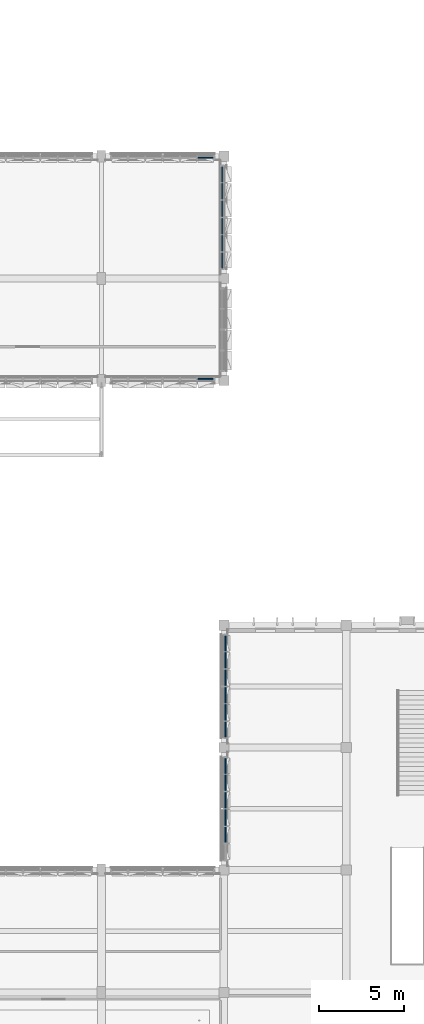
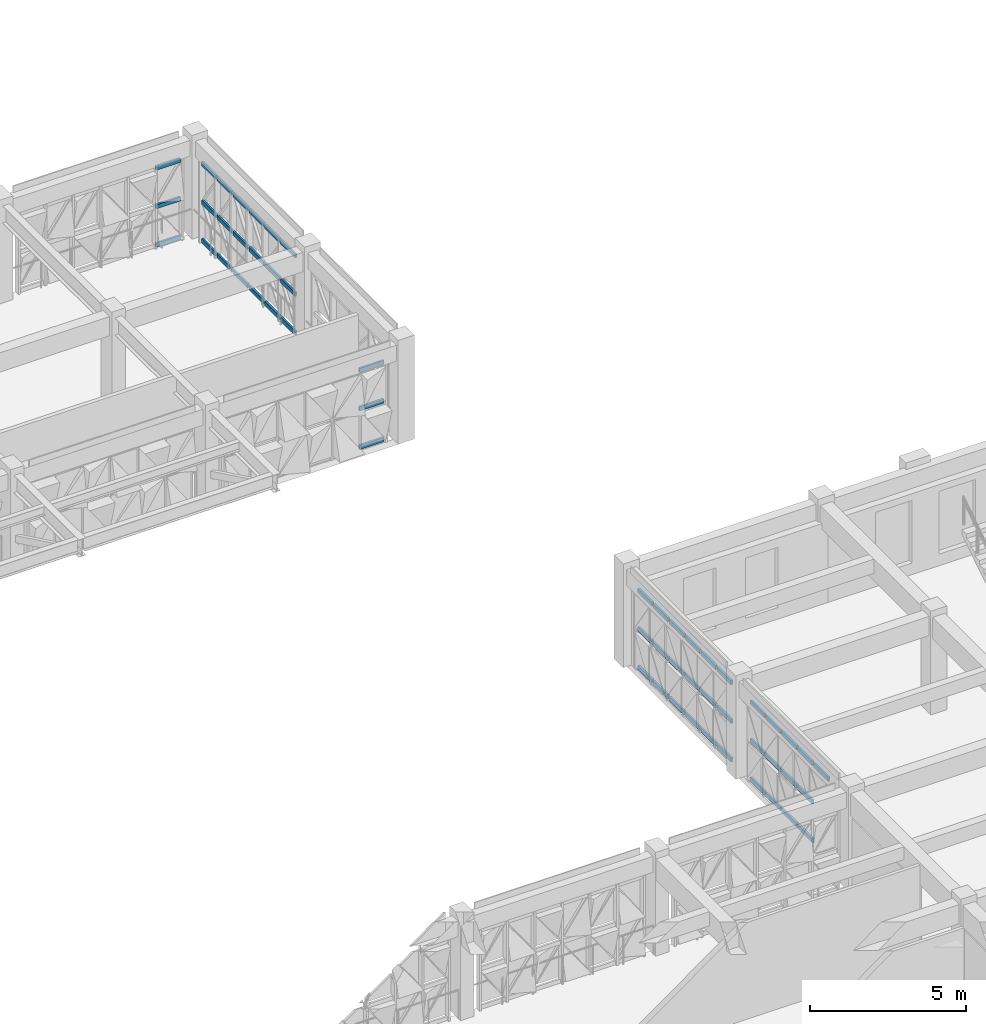
# One storey, part 27 of 88: 55 members, 5 elements without a shape of their own.
"""IFC4 building model written with IfcOpenShell, lengths in metres."""

from ifc_helpers import new_model, si_unit, direction, frame, origin, origin_2d, place, context, subcontext, project, spatial, rectangle, extrude, material, material_profile, profile_set, type_object, element, aggregate, save


model = new_model("IFC4")

# Units and contexts
model_context = context("Model", 3, precision=1e-05, world=origin(), true_north=direction((0.0, 1.0)))
body_context = subcontext(model_context, "Body", "Model", "MODEL_VIEW")
ifc_project = project(units=[si_unit("LENGTHUNIT", "METRE"), si_unit("AREAUNIT", "SQUARE_METRE"), si_unit("VOLUMEUNIT", "CUBIC_METRE"), si_unit("PLANEANGLEUNIT", "RADIAN"), si_unit("MASSUNIT", "GRAM", prefix="KILO")], contexts=[model_context])

# Site, building, storey
site_placement = place(None, origin())
site = spatial("IfcSite", under=ifc_project, at=site_placement, CompositionType="ELEMENT")
building_placement = place(site_placement, origin())
building = spatial("IfcBuilding", under=site, at=building_placement, Name="Alvorim Cloister Faculty of Sciences", CompositionType="ELEMENT")
storey_placement = place(building_placement, frame((0.0, 0.0, 4.5)))
storey = spatial("IfcBuildingStorey", under=building, at=storey_placement, Name="L01", CompositionType="ELEMENT", Elevation=4.5)

# Curtain wall, members
ifc_material_1 = material(Name="Aluminium and Low-E Glass Curtain Wall", Category="aluminium")
curtain_wall_type = type_object("IfcCurtainWallType", Name="CW-TRI-6120x3170", PredefinedType="USERDEFINED", material=ifc_material_1)
curtain_wall_1_placement = place(storey_placement, origin())
curtain_wall_1 = element("IfcCurtainWall", 1, at=curtain_wall_1_placement, inside=storey, type_object=curtain_wall_type, Name="L01 Diagonal Cassette Curtain Wall CW-0016", ObjectType="UNITISED CURTAIN WALL", PredefinedType="USERDEFINED")
ifc_material_2 = material(Name="Aluminium Alloy 6063-T6", Category="aluminium")
ifc_material_profile = material_profile(ifc_material_2, rectangle(XDim=0.074951171875, YDim=0.159912109375, at=origin_2d()), Name="ALU-TRN-75x160")
ifc_profile_set = profile_set([ifc_material_profile], Name="Aluminium Alloy 6063-T6")
member_type = type_object("IfcMemberType", Name="CW-TRN-75x160", PredefinedType="USERDEFINED", material=ifc_profile_set)
member_1_placement = place(storey_placement, frame((63.277587890625, 56.31005859375, 0.080078125), z_axis=(1.0, 0.0, 0.0), x_axis=(0.0, 1.0, 0.0)))
member_1 = element("IfcMember", 2, at=member_1_placement, type_object=member_type, Name="CW-0016 Transom 6.1", ObjectType="TRANSOM", PredefinedType="USERDEFINED", context=body_context, shape_type="SweptSolid", body=[
    extrude(rectangle(XDim=0.074951171875, YDim=0.159912109375, at=origin_2d()), origin(), (0.0, 0.0, 1.0), 0.907470703125),
])
member_2_placement = place(storey_placement, frame((63.277587890625, 56.31005859375, 1.5849609375), z_axis=(1.0, 0.0, 0.0), x_axis=(0.0, 1.0, 0.0)))
member_2 = element("IfcMember", 3, at=member_2_placement, type_object=member_type, Name="CW-0016 Transom 6.2", ObjectType="TRANSOM", PredefinedType="USERDEFINED", context=body_context, shape_type="SweptSolid", body=[
    extrude(rectangle(XDim=0.074951171875, YDim=0.159912109375, at=origin_2d()), origin(), (0.0, 0.0, 1.0), 0.907470703125),
])
member_3_placement = place(storey_placement, frame((63.277587890625, 56.31005859375, 3.090087890625), z_axis=(1.0, 0.0, 0.0), x_axis=(0.0, 1.0, 0.0)))
member_3 = element("IfcMember", 4, at=member_3_placement, type_object=member_type, Name="CW-0016 Transom 6.3", ObjectType="TRANSOM", PredefinedType="USERDEFINED", context=body_context, shape_type="SweptSolid", body=[
    extrude(rectangle(XDim=0.074951171875, YDim=0.159912109375, at=origin_2d()), origin(), (0.0, 0.0, 1.0), 0.907470703125),
])
aggregate(curtain_wall_1, [member_1, member_2, member_3])

curtain_wall_2_placement = place(storey_placement, origin())
curtain_wall_2 = element("IfcCurtainWall", 5, at=curtain_wall_2_placement, inside=storey, type_object=curtain_wall_type, Name="L01 Diagonal Cassette Curtain Wall CW-0017", ObjectType="UNITISED CURTAIN WALL", PredefinedType="USERDEFINED")
member_4_placement = place(storey_placement, frame((64.7099609375, 49.81494140625, 0.080078125), z_axis=(0.0, 1.0, 0.0), x_axis=(-1.0, 0.0, 0.0)))
member_4 = element("IfcMember", 6, at=member_4_placement, type_object=member_type, Name="CW-0017 Transom 1.1", ObjectType="TRANSOM", PredefinedType="USERDEFINED", context=body_context, shape_type="SweptSolid", body=[
    extrude(rectangle(XDim=0.074951171875, YDim=0.159912109375, at=origin_2d()), origin(), (0.0, 0.0, 1.0), 0.907470703125),
])
member_5_placement = place(storey_placement, frame((64.7099609375, 49.81494140625, 1.5849609375), z_axis=(0.0, 1.0, 0.0), x_axis=(-1.0, 0.0, 0.0)))
member_5 = element("IfcMember", 7, at=member_5_placement, type_object=member_type, Name="CW-0017 Transom 1.2", ObjectType="TRANSOM", PredefinedType="USERDEFINED", context=body_context, shape_type="SweptSolid", body=[
    extrude(rectangle(XDim=0.074951171875, YDim=0.159912109375, at=origin_2d()), origin(), (0.0, 0.0, 1.0), 0.907470703125),
])
member_6_placement = place(storey_placement, frame((64.7099609375, 49.81494140625, 3.090087890625), z_axis=(0.0, 1.0, 0.0), x_axis=(-1.0, 0.0, 0.0)))
member_6 = element("IfcMember", 8, at=member_6_placement, type_object=member_type, Name="CW-0017 Transom 1.3", ObjectType="TRANSOM", PredefinedType="USERDEFINED", context=body_context, shape_type="SweptSolid", body=[
    extrude(rectangle(XDim=0.074951171875, YDim=0.159912109375, at=origin_2d()), origin(), (0.0, 0.0, 1.0), 0.907470703125),
])
member_7_placement = place(storey_placement, frame((64.7099609375, 50.797607421875, 0.080078125), z_axis=(0.0, 1.0, 0.0), x_axis=(-1.0, 0.0, 0.0)))
member_7 = element("IfcMember", 9, at=member_7_placement, type_object=member_type, Name="CW-0017 Transom 2.1", ObjectType="TRANSOM", PredefinedType="USERDEFINED", context=body_context, shape_type="SweptSolid", body=[
    extrude(rectangle(XDim=0.074951171875, YDim=0.159912109375, at=origin_2d()), origin(), (0.0, 0.0, 1.0), 0.94482421875),
])
member_8_placement = place(storey_placement, frame((64.7099609375, 50.797607421875, 1.5849609375), z_axis=(0.0, 1.0, 0.0), x_axis=(-1.0, 0.0, 0.0)))
member_8 = element("IfcMember", 10, at=member_8_placement, type_object=member_type, Name="CW-0017 Transom 2.2", ObjectType="TRANSOM", PredefinedType="USERDEFINED", context=body_context, shape_type="SweptSolid", body=[
    extrude(rectangle(XDim=0.074951171875, YDim=0.159912109375, at=origin_2d()), origin(), (0.0, 0.0, 1.0), 0.94482421875),
])
member_9_placement = place(storey_placement, frame((64.7099609375, 50.797607421875, 3.090087890625), z_axis=(0.0, 1.0, 0.0), x_axis=(-1.0, 0.0, 0.0)))
member_9 = element("IfcMember", 11, at=member_9_placement, type_object=member_type, Name="CW-0017 Transom 2.3", ObjectType="TRANSOM", PredefinedType="USERDEFINED", context=body_context, shape_type="SweptSolid", body=[
    extrude(rectangle(XDim=0.074951171875, YDim=0.159912109375, at=origin_2d()), origin(), (0.0, 0.0, 1.0), 0.94482421875),
])
member_10_placement = place(storey_placement, frame((64.7099609375, 51.8173828125, 0.080078125), z_axis=(0.0, 1.0, 0.0), x_axis=(-1.0, 0.0, 0.0)))
member_10 = element("IfcMember", 12, at=member_10_placement, type_object=member_type, Name="CW-0017 Transom 3.1", ObjectType="TRANSOM", PredefinedType="USERDEFINED", context=body_context, shape_type="SweptSolid", body=[
    extrude(rectangle(XDim=0.074951171875, YDim=0.159912109375, at=origin_2d()), origin(), (0.0, 0.0, 1.0), 0.945068359375),
])
member_11_placement = place(storey_placement, frame((64.7099609375, 51.8173828125, 1.5849609375), z_axis=(0.0, 1.0, 0.0), x_axis=(-1.0, 0.0, 0.0)))
member_11 = element("IfcMember", 13, at=member_11_placement, type_object=member_type, Name="CW-0017 Transom 3.2", ObjectType="TRANSOM", PredefinedType="USERDEFINED", context=body_context, shape_type="SweptSolid", body=[
    extrude(rectangle(XDim=0.074951171875, YDim=0.159912109375, at=origin_2d()), origin(), (0.0, 0.0, 1.0), 0.945068359375),
])
member_12_placement = place(storey_placement, frame((64.7099609375, 51.8173828125, 3.090087890625), z_axis=(0.0, 1.0, 0.0), x_axis=(-1.0, 0.0, 0.0)))
member_12 = element("IfcMember", 14, at=member_12_placement, type_object=member_type, Name="CW-0017 Transom 3.3", ObjectType="TRANSOM", PredefinedType="USERDEFINED", context=body_context, shape_type="SweptSolid", body=[
    extrude(rectangle(XDim=0.074951171875, YDim=0.159912109375, at=origin_2d()), origin(), (0.0, 0.0, 1.0), 0.945068359375),
])
member_13_placement = place(storey_placement, frame((64.7099609375, 52.83740234375, 0.080078125), z_axis=(0.0, 1.0, 0.0), x_axis=(-1.0, 0.0, 0.0)))
member_13 = element("IfcMember", 15, at=member_13_placement, type_object=member_type, Name="CW-0017 Transom 4.1", ObjectType="TRANSOM", PredefinedType="USERDEFINED", context=body_context, shape_type="SweptSolid", body=[
    extrude(rectangle(XDim=0.074951171875, YDim=0.159912109375, at=origin_2d()), origin(), (0.0, 0.0, 1.0), 0.945068359375),
])
member_14_placement = place(storey_placement, frame((64.7099609375, 52.83740234375, 1.5849609375), z_axis=(0.0, 1.0, 0.0), x_axis=(-1.0, 0.0, 0.0)))
member_14 = element("IfcMember", 16, at=member_14_placement, type_object=member_type, Name="CW-0017 Transom 4.2", ObjectType="TRANSOM", PredefinedType="USERDEFINED", context=body_context, shape_type="SweptSolid", body=[
    extrude(rectangle(XDim=0.074951171875, YDim=0.159912109375, at=origin_2d()), origin(), (0.0, 0.0, 1.0), 0.945068359375),
])
member_15_placement = place(storey_placement, frame((64.7099609375, 52.83740234375, 3.090087890625), z_axis=(0.0, 1.0, 0.0), x_axis=(-1.0, 0.0, 0.0)))
member_15 = element("IfcMember", 17, at=member_15_placement, type_object=member_type, Name="CW-0017 Transom 4.3", ObjectType="TRANSOM", PredefinedType="USERDEFINED", context=body_context, shape_type="SweptSolid", body=[
    extrude(rectangle(XDim=0.074951171875, YDim=0.159912109375, at=origin_2d()), origin(), (0.0, 0.0, 1.0), 0.945068359375),
])
member_16_placement = place(storey_placement, frame((64.7099609375, 53.857421875, 0.080078125), z_axis=(0.0, 1.0, 0.0), x_axis=(-1.0, 0.0, 0.0)))
member_16 = element("IfcMember", 18, at=member_16_placement, type_object=member_type, Name="CW-0017 Transom 5.1", ObjectType="TRANSOM", PredefinedType="USERDEFINED", context=body_context, shape_type="SweptSolid", body=[
    extrude(rectangle(XDim=0.074951171875, YDim=0.159912109375, at=origin_2d()), origin(), (0.0, 0.0, 1.0), 0.945068359375),
])
member_17_placement = place(storey_placement, frame((64.7099609375, 53.857421875, 1.5849609375), z_axis=(0.0, 1.0, 0.0), x_axis=(-1.0, 0.0, 0.0)))
member_17 = element("IfcMember", 19, at=member_17_placement, type_object=member_type, Name="CW-0017 Transom 5.2", ObjectType="TRANSOM", PredefinedType="USERDEFINED", context=body_context, shape_type="SweptSolid", body=[
    extrude(rectangle(XDim=0.074951171875, YDim=0.159912109375, at=origin_2d()), origin(), (0.0, 0.0, 1.0), 0.945068359375),
])
member_18_placement = place(storey_placement, frame((64.7099609375, 53.857421875, 3.090087890625), z_axis=(0.0, 1.0, 0.0), x_axis=(-1.0, 0.0, 0.0)))
member_18 = element("IfcMember", 20, at=member_18_placement, type_object=member_type, Name="CW-0017 Transom 5.3", ObjectType="TRANSOM", PredefinedType="USERDEFINED", context=body_context, shape_type="SweptSolid", body=[
    extrude(rectangle(XDim=0.074951171875, YDim=0.159912109375, at=origin_2d()), origin(), (0.0, 0.0, 1.0), 0.945068359375),
])
member_19_placement = place(storey_placement, frame((64.7099609375, 54.87744140625, 0.080078125), z_axis=(0.0, 1.0, 0.0), x_axis=(-1.0, 0.0, 0.0)))
member_19 = element("IfcMember", 21, at=member_19_placement, type_object=member_type, Name="CW-0017 Transom 6.1", ObjectType="TRANSOM", PredefinedType="USERDEFINED", context=body_context, shape_type="SweptSolid", body=[
    extrude(rectangle(XDim=0.074951171875, YDim=0.159912109375, at=origin_2d()), origin(), (0.0, 0.0, 1.0), 0.907470703125),
])
member_20_placement = place(storey_placement, frame((64.7099609375, 54.87744140625, 1.5849609375), z_axis=(0.0, 1.0, 0.0), x_axis=(-1.0, 0.0, 0.0)))
member_20 = element("IfcMember", 22, at=member_20_placement, type_object=member_type, Name="CW-0017 Transom 6.2", ObjectType="TRANSOM", PredefinedType="USERDEFINED", context=body_context, shape_type="SweptSolid", body=[
    extrude(rectangle(XDim=0.074951171875, YDim=0.159912109375, at=origin_2d()), origin(), (0.0, 0.0, 1.0), 0.907470703125),
])
member_21_placement = place(storey_placement, frame((64.7099609375, 54.87744140625, 3.090087890625), z_axis=(0.0, 1.0, 0.0), x_axis=(-1.0, 0.0, 0.0)))
member_21 = element("IfcMember", 23, at=member_21_placement, type_object=member_type, Name="CW-0017 Transom 6.3", ObjectType="TRANSOM", PredefinedType="USERDEFINED", context=body_context, shape_type="SweptSolid", body=[
    extrude(rectangle(XDim=0.074951171875, YDim=0.159912109375, at=origin_2d()), origin(), (0.0, 0.0, 1.0), 0.907470703125),
])
aggregate(curtain_wall_2, [member_4, member_5, member_6, member_7, member_8, member_9, member_10, member_11, member_12, member_13, member_14, member_15, member_16, member_17, member_18, member_19, member_20, member_21])

curtain_wall_3_placement = place(storey_placement, origin())
curtain_wall_3 = element("IfcCurtainWall", 24, at=curtain_wall_3_placement, inside=storey, type_object=curtain_wall_type, Name="L01 Diagonal Cassette Curtain Wall CW-0019", ObjectType="UNITISED CURTAIN WALL", PredefinedType="USERDEFINED")
member_22_placement = place(storey_placement, frame((63.277587890625, 43.2900390625, 0.080078125), z_axis=(1.0, 0.0, 0.0), x_axis=(0.0, 1.0, 0.0)))
member_22 = element("IfcMember", 25, at=member_22_placement, type_object=member_type, Name="CW-0019 Transom 6.1", ObjectType="TRANSOM", PredefinedType="USERDEFINED", context=body_context, shape_type="SweptSolid", body=[
    extrude(rectangle(XDim=0.074951171875, YDim=0.159912109375, at=origin_2d()), origin(), (0.0, 0.0, 1.0), 0.907470703125),
])
member_23_placement = place(storey_placement, frame((63.277587890625, 43.2900390625, 1.5849609375), z_axis=(1.0, 0.0, 0.0), x_axis=(0.0, 1.0, 0.0)))
member_23 = element("IfcMember", 26, at=member_23_placement, type_object=member_type, Name="CW-0019 Transom 6.2", ObjectType="TRANSOM", PredefinedType="USERDEFINED", context=body_context, shape_type="SweptSolid", body=[
    extrude(rectangle(XDim=0.074951171875, YDim=0.159912109375, at=origin_2d()), origin(), (0.0, 0.0, 1.0), 0.907470703125),
])
member_24_placement = place(storey_placement, frame((63.277587890625, 43.2900390625, 3.090087890625), z_axis=(1.0, 0.0, 0.0), x_axis=(0.0, 1.0, 0.0)))
member_24 = element("IfcMember", 27, at=member_24_placement, type_object=member_type, Name="CW-0019 Transom 6.3", ObjectType="TRANSOM", PredefinedType="USERDEFINED", context=body_context, shape_type="SweptSolid", body=[
    extrude(rectangle(XDim=0.074951171875, YDim=0.159912109375, at=origin_2d()), origin(), (0.0, 0.0, 1.0), 0.907470703125),
])
aggregate(curtain_wall_3, [member_22, member_23, member_24])

curtain_wall_4_placement = place(storey_placement, origin())
curtain_wall_4 = element("IfcCurtainWall", 28, at=curtain_wall_4_placement, inside=storey, type_object=curtain_wall_type, Name="L01 Diagonal Cassette Curtain Wall CW-0032", ObjectType="UNITISED CURTAIN WALL", PredefinedType="USERDEFINED")
member_25_placement = place(storey_placement, frame((64.889892578125, 15.99755859375, 3.090087890625), z_axis=(0.0, 1.0, 0.0), x_axis=(-1.0, 0.0, 0.0)))
member_25 = element("IfcMember", 29, at=member_25_placement, type_object=member_type, Name="CW-0032 Transom 2.3", ObjectType="TRANSOM", PredefinedType="USERDEFINED", context=body_context, shape_type="SweptSolid", body=[
    extrude(rectangle(XDim=0.074951171875, YDim=0.159912109375, at=origin_2d()), origin(), (0.0, 0.0, 1.0), 0.94482421875),
])
member_26_placement = place(storey_placement, frame((64.889892578125, 17.017578125, 0.080078125), z_axis=(0.0, 1.0, 0.0), x_axis=(-1.0, 0.0, 0.0)))
member_26 = element("IfcMember", 30, at=member_26_placement, type_object=member_type, Name="CW-0032 Transom 3.1", ObjectType="TRANSOM", PredefinedType="USERDEFINED", context=body_context, shape_type="SweptSolid", body=[
    extrude(rectangle(XDim=0.074951171875, YDim=0.159912109375, at=origin_2d()), origin(), (0.0, 0.0, 1.0), 0.94482421875),
])
member_27_placement = place(storey_placement, frame((64.889892578125, 17.017578125, 1.5849609375), z_axis=(0.0, 1.0, 0.0), x_axis=(-1.0, 0.0, 0.0)))
member_27 = element("IfcMember", 31, at=member_27_placement, type_object=member_type, Name="CW-0032 Transom 3.2", ObjectType="TRANSOM", PredefinedType="USERDEFINED", context=body_context, shape_type="SweptSolid", body=[
    extrude(rectangle(XDim=0.074951171875, YDim=0.159912109375, at=origin_2d()), origin(), (0.0, 0.0, 1.0), 0.94482421875),
])
member_28_placement = place(storey_placement, frame((64.889892578125, 17.017578125, 3.090087890625), z_axis=(0.0, 1.0, 0.0), x_axis=(-1.0, 0.0, 0.0)))
member_28 = element("IfcMember", 32, at=member_28_placement, type_object=member_type, Name="CW-0032 Transom 3.3", ObjectType="TRANSOM", PredefinedType="USERDEFINED", context=body_context, shape_type="SweptSolid", body=[
    extrude(rectangle(XDim=0.074951171875, YDim=0.159912109375, at=origin_2d()), origin(), (0.0, 0.0, 1.0), 0.94482421875),
])
member_29_placement = place(storey_placement, frame((64.889892578125, 18.03759765625, 0.080078125), z_axis=(0.0, 1.0, 0.0), x_axis=(-1.0, 0.0, 0.0)))
member_29 = element("IfcMember", 33, at=member_29_placement, type_object=member_type, Name="CW-0032 Transom 4.1", ObjectType="TRANSOM", PredefinedType="USERDEFINED", context=body_context, shape_type="SweptSolid", body=[
    extrude(rectangle(XDim=0.074951171875, YDim=0.159912109375, at=origin_2d()), origin(), (0.0, 0.0, 1.0), 0.94482421875),
])
member_30_placement = place(storey_placement, frame((64.889892578125, 18.03759765625, 1.5849609375), z_axis=(0.0, 1.0, 0.0), x_axis=(-1.0, 0.0, 0.0)))
member_30 = element("IfcMember", 34, at=member_30_placement, type_object=member_type, Name="CW-0032 Transom 4.2", ObjectType="TRANSOM", PredefinedType="USERDEFINED", context=body_context, shape_type="SweptSolid", body=[
    extrude(rectangle(XDim=0.074951171875, YDim=0.159912109375, at=origin_2d()), origin(), (0.0, 0.0, 1.0), 0.94482421875),
])
member_31_placement = place(storey_placement, frame((64.889892578125, 18.03759765625, 3.090087890625), z_axis=(0.0, 1.0, 0.0), x_axis=(-1.0, 0.0, 0.0)))
member_31 = element("IfcMember", 35, at=member_31_placement, type_object=member_type, Name="CW-0032 Transom 4.3", ObjectType="TRANSOM", PredefinedType="USERDEFINED", context=body_context, shape_type="SweptSolid", body=[
    extrude(rectangle(XDim=0.074951171875, YDim=0.159912109375, at=origin_2d()), origin(), (0.0, 0.0, 1.0), 0.94482421875),
])
member_32_placement = place(storey_placement, frame((64.889892578125, 19.0576171875, 0.080078125), z_axis=(0.0, 1.0, 0.0), x_axis=(-1.0, 0.0, 0.0)))
member_32 = element("IfcMember", 36, at=member_32_placement, type_object=member_type, Name="CW-0032 Transom 5.1", ObjectType="TRANSOM", PredefinedType="USERDEFINED", context=body_context, shape_type="SweptSolid", body=[
    extrude(rectangle(XDim=0.074951171875, YDim=0.159912109375, at=origin_2d()), origin(), (0.0, 0.0, 1.0), 0.94482421875),
])
member_33_placement = place(storey_placement, frame((64.889892578125, 19.0576171875, 1.5849609375), z_axis=(0.0, 1.0, 0.0), x_axis=(-1.0, 0.0, 0.0)))
member_33 = element("IfcMember", 37, at=member_33_placement, type_object=member_type, Name="CW-0032 Transom 5.2", ObjectType="TRANSOM", PredefinedType="USERDEFINED", context=body_context, shape_type="SweptSolid", body=[
    extrude(rectangle(XDim=0.074951171875, YDim=0.159912109375, at=origin_2d()), origin(), (0.0, 0.0, 1.0), 0.94482421875),
])
member_34_placement = place(storey_placement, frame((64.889892578125, 19.0576171875, 3.090087890625), z_axis=(0.0, 1.0, 0.0), x_axis=(-1.0, 0.0, 0.0)))
member_34 = element("IfcMember", 38, at=member_34_placement, type_object=member_type, Name="CW-0032 Transom 5.3", ObjectType="TRANSOM", PredefinedType="USERDEFINED", context=body_context, shape_type="SweptSolid", body=[
    extrude(rectangle(XDim=0.074951171875, YDim=0.159912109375, at=origin_2d()), origin(), (0.0, 0.0, 1.0), 0.94482421875),
])
member_35_placement = place(storey_placement, frame((64.889892578125, 20.077392578125, 0.080078125), z_axis=(0.0, 1.0, 0.0), x_axis=(-1.0, 0.0, 0.0)))
member_35 = element("IfcMember", 39, at=member_35_placement, type_object=member_type, Name="CW-0032 Transom 6.1", ObjectType="TRANSOM", PredefinedType="USERDEFINED", context=body_context, shape_type="SweptSolid", body=[
    extrude(rectangle(XDim=0.074951171875, YDim=0.159912109375, at=origin_2d()), origin(), (0.0, 0.0, 1.0), 0.90771484375),
])
member_36_placement = place(storey_placement, frame((64.889892578125, 20.077392578125, 1.5849609375), z_axis=(0.0, 1.0, 0.0), x_axis=(-1.0, 0.0, 0.0)))
member_36 = element("IfcMember", 40, at=member_36_placement, type_object=member_type, Name="CW-0032 Transom 6.2", ObjectType="TRANSOM", PredefinedType="USERDEFINED", context=body_context, shape_type="SweptSolid", body=[
    extrude(rectangle(XDim=0.074951171875, YDim=0.159912109375, at=origin_2d()), origin(), (0.0, 0.0, 1.0), 0.90771484375),
])
member_37_placement = place(storey_placement, frame((64.889892578125, 20.077392578125, 3.090087890625), z_axis=(0.0, 1.0, 0.0), x_axis=(-1.0, 0.0, 0.0)))
member_37 = element("IfcMember", 41, at=member_37_placement, type_object=member_type, Name="CW-0032 Transom 6.3", ObjectType="TRANSOM", PredefinedType="USERDEFINED", context=body_context, shape_type="SweptSolid", body=[
    extrude(rectangle(XDim=0.074951171875, YDim=0.159912109375, at=origin_2d()), origin(), (0.0, 0.0, 1.0), 0.90771484375),
])
aggregate(curtain_wall_4, [member_25, member_26, member_27, member_28, member_29, member_30, member_31, member_32, member_33, member_34, member_35, member_36, member_37])

curtain_wall_5_placement = place(storey_placement, origin())
curtain_wall_5 = element("IfcCurtainWall", 42, at=curtain_wall_5_placement, inside=storey, type_object=curtain_wall_type, Name="L01 Diagonal Cassette Curtain Wall CW-0033", ObjectType="UNITISED CURTAIN WALL", PredefinedType="USERDEFINED")
member_38_placement = place(storey_placement, frame((64.889892578125, 22.215087890625, 0.080078125), z_axis=(0.0, 1.0, 0.0), x_axis=(-1.0, 0.0, 0.0)))
member_38 = element("IfcMember", 43, at=member_38_placement, type_object=member_type, Name="CW-0033 Transom 1.1", ObjectType="TRANSOM", PredefinedType="USERDEFINED", context=body_context, shape_type="SweptSolid", body=[
    extrude(rectangle(XDim=0.074951171875, YDim=0.159912109375, at=origin_2d()), origin(), (0.0, 0.0, 1.0), 0.907470703125),
])
member_39_placement = place(storey_placement, frame((64.889892578125, 22.215087890625, 1.5849609375), z_axis=(0.0, 1.0, 0.0), x_axis=(-1.0, 0.0, 0.0)))
member_39 = element("IfcMember", 44, at=member_39_placement, type_object=member_type, Name="CW-0033 Transom 1.2", ObjectType="TRANSOM", PredefinedType="USERDEFINED", context=body_context, shape_type="SweptSolid", body=[
    extrude(rectangle(XDim=0.074951171875, YDim=0.159912109375, at=origin_2d()), origin(), (0.0, 0.0, 1.0), 0.907470703125),
])
member_40_placement = place(storey_placement, frame((64.889892578125, 22.215087890625, 3.090087890625), z_axis=(0.0, 1.0, 0.0), x_axis=(-1.0, 0.0, 0.0)))
member_40 = element("IfcMember", 45, at=member_40_placement, type_object=member_type, Name="CW-0033 Transom 1.3", ObjectType="TRANSOM", PredefinedType="USERDEFINED", context=body_context, shape_type="SweptSolid", body=[
    extrude(rectangle(XDim=0.074951171875, YDim=0.159912109375, at=origin_2d()), origin(), (0.0, 0.0, 1.0), 0.907470703125),
])
member_41_placement = place(storey_placement, frame((64.889892578125, 23.197509765625, 0.080078125), z_axis=(0.0, 1.0, 0.0), x_axis=(-1.0, 0.0, 0.0)))
member_41 = element("IfcMember", 46, at=member_41_placement, type_object=member_type, Name="CW-0033 Transom 2.1", ObjectType="TRANSOM", PredefinedType="USERDEFINED", context=body_context, shape_type="SweptSolid", body=[
    extrude(rectangle(XDim=0.074951171875, YDim=0.159912109375, at=origin_2d()), origin(), (0.0, 0.0, 1.0), 0.945068359375),
])
member_42_placement = place(storey_placement, frame((64.889892578125, 23.197509765625, 1.5849609375), z_axis=(0.0, 1.0, 0.0), x_axis=(-1.0, 0.0, 0.0)))
member_42 = element("IfcMember", 47, at=member_42_placement, type_object=member_type, Name="CW-0033 Transom 2.2", ObjectType="TRANSOM", PredefinedType="USERDEFINED", context=body_context, shape_type="SweptSolid", body=[
    extrude(rectangle(XDim=0.074951171875, YDim=0.159912109375, at=origin_2d()), origin(), (0.0, 0.0, 1.0), 0.945068359375),
])
member_43_placement = place(storey_placement, frame((64.889892578125, 23.197509765625, 3.090087890625), z_axis=(0.0, 1.0, 0.0), x_axis=(-1.0, 0.0, 0.0)))
member_43 = element("IfcMember", 48, at=member_43_placement, type_object=member_type, Name="CW-0033 Transom 2.3", ObjectType="TRANSOM", PredefinedType="USERDEFINED", context=body_context, shape_type="SweptSolid", body=[
    extrude(rectangle(XDim=0.074951171875, YDim=0.159912109375, at=origin_2d()), origin(), (0.0, 0.0, 1.0), 0.945068359375),
])
member_44_placement = place(storey_placement, frame((64.889892578125, 24.217529296875, 0.080078125), z_axis=(0.0, 1.0, 0.0), x_axis=(-1.0, 0.0, 0.0)))
member_44 = element("IfcMember", 49, at=member_44_placement, type_object=member_type, Name="CW-0033 Transom 3.1", ObjectType="TRANSOM", PredefinedType="USERDEFINED", context=body_context, shape_type="SweptSolid", body=[
    extrude(rectangle(XDim=0.074951171875, YDim=0.159912109375, at=origin_2d()), origin(), (0.0, 0.0, 1.0), 0.945068359375),
])
member_45_placement = place(storey_placement, frame((64.889892578125, 24.217529296875, 1.5849609375), z_axis=(0.0, 1.0, 0.0), x_axis=(-1.0, 0.0, 0.0)))
member_45 = element("IfcMember", 50, at=member_45_placement, type_object=member_type, Name="CW-0033 Transom 3.2", ObjectType="TRANSOM", PredefinedType="USERDEFINED", context=body_context, shape_type="SweptSolid", body=[
    extrude(rectangle(XDim=0.074951171875, YDim=0.159912109375, at=origin_2d()), origin(), (0.0, 0.0, 1.0), 0.945068359375),
])
member_46_placement = place(storey_placement, frame((64.889892578125, 24.217529296875, 3.090087890625), z_axis=(0.0, 1.0, 0.0), x_axis=(-1.0, 0.0, 0.0)))
member_46 = element("IfcMember", 51, at=member_46_placement, type_object=member_type, Name="CW-0033 Transom 3.3", ObjectType="TRANSOM", PredefinedType="USERDEFINED", context=body_context, shape_type="SweptSolid", body=[
    extrude(rectangle(XDim=0.074951171875, YDim=0.159912109375, at=origin_2d()), origin(), (0.0, 0.0, 1.0), 0.945068359375),
])
member_47_placement = place(storey_placement, frame((64.889892578125, 25.237548828125, 0.080078125), z_axis=(0.0, 1.0, 0.0), x_axis=(-1.0, 0.0, 0.0)))
member_47 = element("IfcMember", 52, at=member_47_placement, type_object=member_type, Name="CW-0033 Transom 4.1", ObjectType="TRANSOM", PredefinedType="USERDEFINED", context=body_context, shape_type="SweptSolid", body=[
    extrude(rectangle(XDim=0.074951171875, YDim=0.159912109375, at=origin_2d()), origin(), (0.0, 0.0, 1.0), 0.945068359375),
])
member_48_placement = place(storey_placement, frame((64.889892578125, 25.237548828125, 1.5849609375), z_axis=(0.0, 1.0, 0.0), x_axis=(-1.0, 0.0, 0.0)))
member_48 = element("IfcMember", 53, at=member_48_placement, type_object=member_type, Name="CW-0033 Transom 4.2", ObjectType="TRANSOM", PredefinedType="USERDEFINED", context=body_context, shape_type="SweptSolid", body=[
    extrude(rectangle(XDim=0.074951171875, YDim=0.159912109375, at=origin_2d()), origin(), (0.0, 0.0, 1.0), 0.945068359375),
])
member_49_placement = place(storey_placement, frame((64.889892578125, 25.237548828125, 3.090087890625), z_axis=(0.0, 1.0, 0.0), x_axis=(-1.0, 0.0, 0.0)))
member_49 = element("IfcMember", 54, at=member_49_placement, type_object=member_type, Name="CW-0033 Transom 4.3", ObjectType="TRANSOM", PredefinedType="USERDEFINED", context=body_context, shape_type="SweptSolid", body=[
    extrude(rectangle(XDim=0.074951171875, YDim=0.159912109375, at=origin_2d()), origin(), (0.0, 0.0, 1.0), 0.945068359375),
])
member_50_placement = place(storey_placement, frame((64.889892578125, 26.257568359375, 0.080078125), z_axis=(0.0, 1.0, 0.0), x_axis=(-1.0, 0.0, 0.0)))
member_50 = element("IfcMember", 55, at=member_50_placement, type_object=member_type, Name="CW-0033 Transom 5.1", ObjectType="TRANSOM", PredefinedType="USERDEFINED", context=body_context, shape_type="SweptSolid", body=[
    extrude(rectangle(XDim=0.074951171875, YDim=0.159912109375, at=origin_2d()), origin(), (0.0, 0.0, 1.0), 0.94482421875),
])
member_51_placement = place(storey_placement, frame((64.889892578125, 26.257568359375, 1.5849609375), z_axis=(0.0, 1.0, 0.0), x_axis=(-1.0, 0.0, 0.0)))
member_51 = element("IfcMember", 56, at=member_51_placement, type_object=member_type, Name="CW-0033 Transom 5.2", ObjectType="TRANSOM", PredefinedType="USERDEFINED", context=body_context, shape_type="SweptSolid", body=[
    extrude(rectangle(XDim=0.074951171875, YDim=0.159912109375, at=origin_2d()), origin(), (0.0, 0.0, 1.0), 0.94482421875),
])
member_52_placement = place(storey_placement, frame((64.889892578125, 26.257568359375, 3.090087890625), z_axis=(0.0, 1.0, 0.0), x_axis=(-1.0, 0.0, 0.0)))
member_52 = element("IfcMember", 57, at=member_52_placement, type_object=member_type, Name="CW-0033 Transom 5.3", ObjectType="TRANSOM", PredefinedType="USERDEFINED", context=body_context, shape_type="SweptSolid", body=[
    extrude(rectangle(XDim=0.074951171875, YDim=0.159912109375, at=origin_2d()), origin(), (0.0, 0.0, 1.0), 0.94482421875),
])
member_53_placement = place(storey_placement, frame((64.889892578125, 27.277587890625, 0.080078125), z_axis=(0.0, 1.0, 0.0), x_axis=(-1.0, 0.0, 0.0)))
member_53 = element("IfcMember", 58, at=member_53_placement, type_object=member_type, Name="CW-0033 Transom 6.1", ObjectType="TRANSOM", PredefinedType="USERDEFINED", context=body_context, shape_type="SweptSolid", body=[
    extrude(rectangle(XDim=0.074951171875, YDim=0.159912109375, at=origin_2d()), origin(), (0.0, 0.0, 1.0), 0.907470703125),
])
member_54_placement = place(storey_placement, frame((64.889892578125, 27.277587890625, 1.5849609375), z_axis=(0.0, 1.0, 0.0), x_axis=(-1.0, 0.0, 0.0)))
member_54 = element("IfcMember", 59, at=member_54_placement, type_object=member_type, Name="CW-0033 Transom 6.2", ObjectType="TRANSOM", PredefinedType="USERDEFINED", context=body_context, shape_type="SweptSolid", body=[
    extrude(rectangle(XDim=0.074951171875, YDim=0.159912109375, at=origin_2d()), origin(), (0.0, 0.0, 1.0), 0.907470703125),
])
member_55_placement = place(storey_placement, frame((64.889892578125, 27.277587890625, 3.090087890625), z_axis=(0.0, 1.0, 0.0), x_axis=(-1.0, 0.0, 0.0)))
member_55 = element("IfcMember", 60, at=member_55_placement, type_object=member_type, Name="CW-0033 Transom 6.3", ObjectType="TRANSOM", PredefinedType="USERDEFINED", context=body_context, shape_type="SweptSolid", body=[
    extrude(rectangle(XDim=0.074951171875, YDim=0.159912109375, at=origin_2d()), origin(), (0.0, 0.0, 1.0), 0.907470703125),
])
aggregate(curtain_wall_5, [member_38, member_39, member_40, member_41, member_42, member_43, member_44, member_45, member_46, member_47, member_48, member_49, member_50, member_51, member_52, member_53, member_54, member_55])

save(model, "model.ifc")
